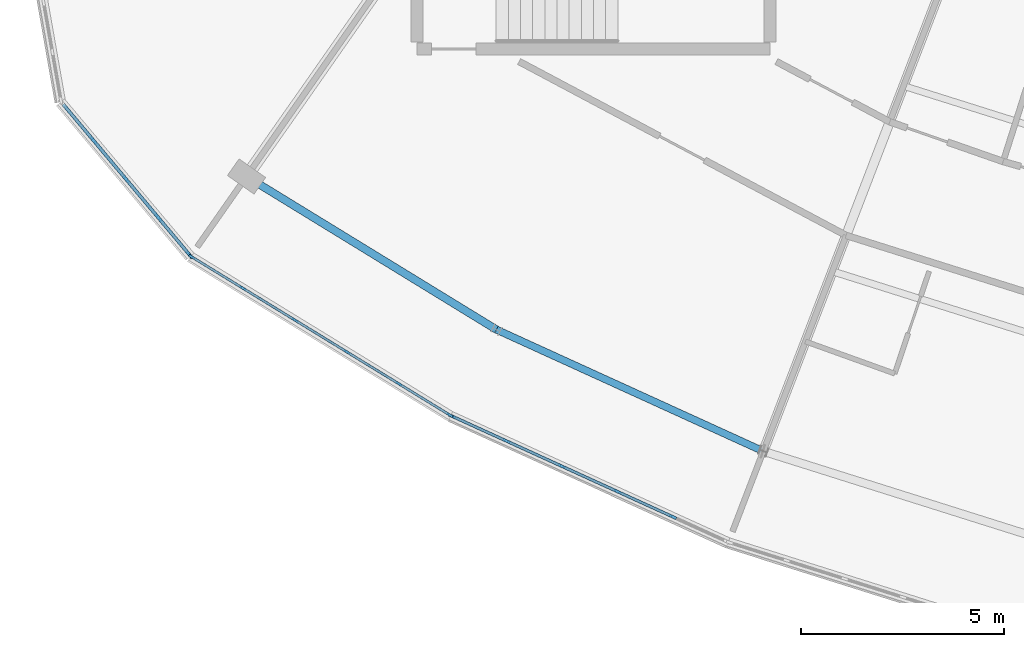
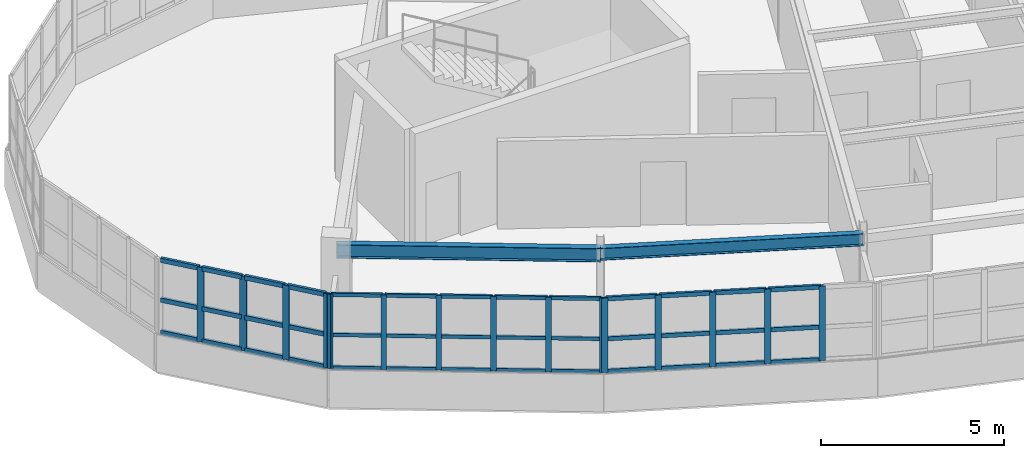
# One storey, part 18 of 79: 54 members, 2 beams, 3 elements without a shape of their own.
"""IFC4 building model written with IfcOpenShell, lengths in metres."""

from ifc_helpers import new_model, si_unit, direction, frame, origin, origin_2d, place, context, subcontext, project, spatial, rectangle, i_section, extrude, material, layer, layer_set, material_profile, profile_set, type_object, element, aggregate, save


model = new_model("IFC4")

# Units and contexts
model_context = context("Model", 3, precision=1e-05, world=origin(), true_north=direction((0.0, 1.0)))
body_context = subcontext(model_context, "Body", "Model", "MODEL_VIEW")
ifc_project = project(units=[si_unit("LENGTHUNIT", "METRE"), si_unit("AREAUNIT", "SQUARE_METRE"), si_unit("VOLUMEUNIT", "CUBIC_METRE"), si_unit("PLANEANGLEUNIT", "RADIAN"), si_unit("MASSUNIT", "GRAM", prefix="KILO")], contexts=[model_context])

# Site, building, storey
site_placement = place(None, origin())
site = spatial("IfcSite", under=ifc_project, at=site_placement, CompositionType="ELEMENT")
building_placement = place(site_placement, origin())
building = spatial("IfcBuilding", under=site, at=building_placement, Name="Tarnwether General Hospital", CompositionType="ELEMENT")
storey_placement = place(building_placement, frame((0.0, 0.0, 18.300048828125)))
storey = spatial("IfcBuildingStorey", under=building, at=storey_placement, Name="L04", CompositionType="ELEMENT", Elevation=18.300048828125)

# Beams
ifc_material_1 = material(Name="Steel Grade 350 (350 MPa)", Category="steel")
ifc_material_profile_1 = material_profile(ifc_material_1, i_section(OverallWidth=0.18994140625, OverallDepth=0.4541015625, WebThickness=0.008544921875, FlangeThickness=0.0126953125, at=origin_2d()), Name="460UB67.1")
ifc_profile_set_1 = profile_set([ifc_material_profile_1], Name="Steel Grade 350 (350 MPa)")
beam_type_1 = type_object("IfcBeamType", Name="BM-SP1", PredefinedType="SPANDREL", material=ifc_profile_set_1)
beam_1_placement = place(storey_placement, frame((58.0439453125, 14.506103515625, 3.3330078125), z_axis=(0.852678430503, -0.522436114902, 0.0), x_axis=(0.522436114902, 0.852678430503, 0.0)))
element("IfcBeam", 1, at=beam_1_placement, inside=storey, type_object=beam_type_1, Name="Curved Ward SE Outer Spandrel BMG-L04-5804_1451-6421_1073-2138", PredefinedType="SPANDREL", context=body_context, shape_type="SweptSolid", body=[
    extrude(i_section(OverallWidth=0.18994140625, OverallDepth=0.4541015625, WebThickness=0.008544921875, FlangeThickness=0.0126953125, at=origin_2d()), origin(), (0.0, 0.0, 1.0), 7.22802734375),
])
ifc_material_2 = material(Name="Steel Grade 350 (350 MPa)", Category="steel")
ifc_material_profile_2 = material_profile(ifc_material_2, i_section(OverallWidth=0.177978515625, OverallDepth=0.403076171875, WebThickness=0.007568359375, FlangeThickness=0.010986328125, at=origin_2d()), Name="410UB53.7")
ifc_profile_set_2 = profile_set([ifc_material_profile_2], Name="Steel Grade 350 (350 MPa)")
beam_type_2 = type_object("IfcBeamType", Name="BM-SP2", PredefinedType="SPANDREL", material=ifc_profile_set_2)
beam_2_placement = place(storey_placement, frame((64.20703125, 10.72998046875, 3.3583984375), z_axis=(0.909943842177, -0.414731484316, 0.0), x_axis=(0.414731484316, 0.909943842177, 0.0)))
element("IfcBeam", 2, at=beam_2_placement, inside=storey, type_object=beam_type_2, Name="Curved Ward SE Outer Spandrel BMG-L04-6421_1073-7078_773-2140", PredefinedType="SPANDREL", context=body_context, shape_type="SweptSolid", body=[
    extrude(i_section(OverallWidth=0.177978515625, OverallDepth=0.403076171875, WebThickness=0.007568359375, FlangeThickness=0.010986328125, at=origin_2d()), origin(), (0.0, 0.0, 1.0), 7.22900390625),
])

# Curtain wall, members
ifc_material_3 = material(Name="Anodised aluminium", Category="aluminium")
ifc_layer_1 = layer(ifc_material_3, 0.159912109375)
ifc_layer_set_1 = layer_set([ifc_layer_1], Name="Anodised aluminium")
curtain_wall_type_1 = type_object("IfcCurtainWallType", Name="CW-09", PredefinedType="NOTDEFINED", material=ifc_layer_set_1)
curtain_wall_1_placement = place(storey_placement, origin())
curtain_wall_1 = element("IfcCurtainWall", 3, at=curtain_wall_1_placement, inside=storey, type_object=curtain_wall_type_1, Name="Curtain Wall CWG-L04-631_86-0186", PredefinedType="NOTDEFINED")
ifc_material_4 = material(Name="Anodised aluminium", Category="aluminium")
ifc_material_profile_3 = material_profile(ifc_material_4, rectangle(XDim=0.06005859375, YDim=0.159912109375, at=origin_2d()), Name="ALU-MUL-60x160")
ifc_profile_set_3 = profile_set([ifc_material_profile_3], Name="Anodised aluminium")
member_type_1 = type_object("IfcMemberType", Name="CW-ML1", PredefinedType="MULLION", material=ifc_profile_set_3)
member_1_placement = place(storey_placement, frame((63.055419921875, 8.625732421875, 1.050048828125), z_axis=(0.0, 0.0, 1.0), x_axis=(-0.522509056361, -0.852633734977, 0.0)))
member_1 = element("IfcMember", 4, at=member_1_placement, type_object=member_type_1, Name="CW-09 mullion 1", PredefinedType="MULLION", context=body_context, shape_type="SweptSolid", body=[
    extrude(rectangle(XDim=0.06005859375, YDim=0.159912109375, at=origin_2d()), origin(), (0.0, 0.0, 1.0), 2.489990234375),
])
member_2_placement = place(storey_placement, frame((61.79833984375, 9.39599609375, 1.050048828125), z_axis=(0.0, 0.0, 1.0), x_axis=(-0.522509056361, -0.852633734977, 0.0)))
member_2 = element("IfcMember", 5, at=member_2_placement, type_object=member_type_1, Name="CW-09 mullion 2", PredefinedType="MULLION", context=body_context, shape_type="SweptSolid", body=[
    extrude(rectangle(XDim=0.06005859375, YDim=0.159912109375, at=origin_2d()), origin(), (0.0, 0.0, 1.0), 2.489990234375),
])
member_3_placement = place(storey_placement, frame((60.515869140625, 10.181884765625, 1.050048828125), z_axis=(0.0, 0.0, 1.0), x_axis=(-0.522509056361, -0.852633734977, 0.0)))
member_3 = element("IfcMember", 6, at=member_3_placement, type_object=member_type_1, Name="CW-09 mullion 3", PredefinedType="MULLION", context=body_context, shape_type="SweptSolid", body=[
    extrude(rectangle(XDim=0.06005859375, YDim=0.159912109375, at=origin_2d()), origin(), (0.0, 0.0, 1.0), 2.489990234375),
])
member_4_placement = place(storey_placement, frame((59.233154296875, 10.968017578125, 1.050048828125), z_axis=(0.0, 0.0, 1.0), x_axis=(-0.522509056361, -0.852633734977, 0.0)))
member_4 = element("IfcMember", 7, at=member_4_placement, type_object=member_type_1, Name="CW-09 mullion 4", PredefinedType="MULLION", context=body_context, shape_type="SweptSolid", body=[
    extrude(rectangle(XDim=0.06005859375, YDim=0.159912109375, at=origin_2d()), origin(), (0.0, 0.0, 1.0), 2.489990234375),
])
member_5_placement = place(storey_placement, frame((57.95068359375, 11.75390625, 1.050048828125), z_axis=(0.0, 0.0, 1.0), x_axis=(-0.522509056361, -0.852633734977, 0.0)))
member_5 = element("IfcMember", 8, at=member_5_placement, type_object=member_type_1, Name="CW-09 mullion 5", PredefinedType="MULLION", context=body_context, shape_type="SweptSolid", body=[
    extrude(rectangle(XDim=0.06005859375, YDim=0.159912109375, at=origin_2d()), origin(), (0.0, 0.0, 1.0), 2.489990234375),
])
member_6_placement = place(storey_placement, frame((56.693603515625, 12.5244140625, 1.050048828125), z_axis=(0.0, 0.0, 1.0), x_axis=(-0.522509056361, -0.852633734977, 0.0)))
member_6 = element("IfcMember", 9, at=member_6_placement, type_object=member_type_1, Name="CW-09 mullion 6", PredefinedType="MULLION", context=body_context, shape_type="SweptSolid", body=[
    extrude(rectangle(XDim=0.06005859375, YDim=0.159912109375, at=origin_2d()), origin(), (0.0, 0.0, 1.0), 2.489990234375),
])

curtain_wall_2_placement = place(storey_placement, origin())
curtain_wall_2 = element("IfcCurtainWall", 10, at=curtain_wall_2_placement, inside=storey, type_object=curtain_wall_type_1, Name="Curtain Wall CWG-L04-699_55-0187", PredefinedType="NOTDEFINED")
ifc_material_5 = material(Name="Anodised aluminium", Category="aluminium")
ifc_material_profile_4 = material_profile(ifc_material_5, rectangle(XDim=0.070068359375, YDim=0.179931640625, at=origin_2d()), Name="ALU-MUL-70x180")
ifc_profile_set_4 = profile_set([ifc_material_profile_4], Name="Anodised aluminium")
member_type_2 = type_object("IfcMemberType", Name="CW-ML2", PredefinedType="MULLION", material=ifc_profile_set_4)
member_7_placement = place(storey_placement, frame((68.55615234375, 6.11474609375, 1.050048828125), z_axis=(0.0, 0.0, 1.0), x_axis=(-0.414694289316, -0.909960793886, 0.0)))
member_7 = element("IfcMember", 11, at=member_7_placement, type_object=member_type_2, Name="CW-09 mullion 2", PredefinedType="MULLION", context=body_context, shape_type="SweptSolid", body=[
    extrude(rectangle(XDim=0.070068359375, YDim=0.179931640625, at=origin_2d()), origin(), (0.0, 0.0, 1.0), 2.489990234375),
])
member_8_placement = place(storey_placement, frame((67.1875, 6.738525390625, 1.050048828125), z_axis=(0.0, 0.0, 1.0), x_axis=(-0.414694289316, -0.909960793886, 0.0)))
member_8 = element("IfcMember", 12, at=member_8_placement, type_object=member_type_2, Name="CW-09 mullion 3", PredefinedType="MULLION", context=body_context, shape_type="SweptSolid", body=[
    extrude(rectangle(XDim=0.070068359375, YDim=0.179931640625, at=origin_2d()), origin(), (0.0, 0.0, 1.0), 2.489990234375),
])
member_9_placement = place(storey_placement, frame((65.818603515625, 7.3623046875, 1.050048828125), z_axis=(0.0, 0.0, 1.0), x_axis=(-0.414694289316, -0.909960793886, 0.0)))
member_9 = element("IfcMember", 13, at=member_9_placement, type_object=member_type_2, Name="CW-09 mullion 4", PredefinedType="MULLION", context=body_context, shape_type="SweptSolid", body=[
    extrude(rectangle(XDim=0.070068359375, YDim=0.179931640625, at=origin_2d()), origin(), (0.0, 0.0, 1.0), 2.489990234375),
])
member_10_placement = place(storey_placement, frame((64.44970703125, 7.986083984375, 1.050048828125), z_axis=(0.0, 0.0, 1.0), x_axis=(-0.414694289316, -0.909960793886, 0.0)))
member_10 = element("IfcMember", 14, at=member_10_placement, type_object=member_type_2, Name="CW-09 mullion 5", PredefinedType="MULLION", context=body_context, shape_type="SweptSolid", body=[
    extrude(rectangle(XDim=0.070068359375, YDim=0.179931640625, at=origin_2d()), origin(), (0.0, 0.0, 1.0), 2.489990234375),
])
member_11_placement = place(storey_placement, frame((63.11279296875, 8.595458984375, 1.050048828125), z_axis=(0.0, 0.0, 1.0), x_axis=(-0.414694289316, -0.909960793886, 0.0)))
member_11 = element("IfcMember", 15, at=member_11_placement, type_object=member_type_2, Name="CW-09 mullion 6", PredefinedType="MULLION", context=body_context, shape_type="SweptSolid", body=[
    extrude(rectangle(XDim=0.070068359375, YDim=0.179931640625, at=origin_2d()), origin(), (0.0, 0.0, 1.0), 2.489990234375),
])

ifc_material_6 = material(Name="Anodised aluminium", Category="aluminium")
ifc_layer_2 = layer(ifc_material_6, 0.159912109375)
ifc_layer_set_2 = layer_set([ifc_layer_2], Name="Anodised aluminium")
curtain_wall_type_2 = type_object("IfcCurtainWallType", Name="CW-03", PredefinedType="NOTDEFINED", material=ifc_layer_set_2)
curtain_wall_3_placement = place(storey_placement, origin())
curtain_wall_3 = element("IfcCurtainWall", 16, at=curtain_wall_3_placement, inside=storey, type_object=curtain_wall_type_2, Name="Curtain Wall CWG-L04-567_125-0217", PredefinedType="NOTDEFINED")
ifc_material_7 = material(Name="Anodised aluminium", Category="aluminium")
ifc_material_profile_5 = material_profile(ifc_material_7, rectangle(XDim=0.080078125, YDim=0.199951171875, at=origin_2d()), Name="ALU-MUL-80x200")
ifc_profile_set_5 = profile_set([ifc_material_profile_5], Name="Anodised aluminium")
member_type_3 = type_object("IfcMemberType", Name="CW-ML4", PredefinedType="MULLION", material=ifc_profile_set_5)
member_12_placement = place(storey_placement, frame((56.642333984375, 12.570556640625, 1.050048828125), z_axis=(0.0, 0.0, 1.0), x_axis=(-0.765990176896, -0.64285227611, 0.0)))
member_12 = element("IfcMember", 17, at=member_12_placement, type_object=member_type_3, Name="CW-03 mullion 1", PredefinedType="MULLION", context=body_context, shape_type="SweptSolid", body=[
    extrude(rectangle(XDim=0.080078125, YDim=0.199951171875, at=origin_2d()), origin(), (0.0, 0.0, 1.0), 2.489990234375),
])
member_13_placement = place(storey_placement, frame((55.869140625, 13.49169921875, 1.050048828125), z_axis=(0.0, 0.0, 1.0), x_axis=(-0.765990176896, -0.64285227611, 0.0)))
member_13 = element("IfcMember", 18, at=member_13_placement, type_object=member_type_3, Name="CW-03 mullion 2", PredefinedType="MULLION", context=body_context, shape_type="SweptSolid", body=[
    extrude(rectangle(XDim=0.080078125, YDim=0.199951171875, at=origin_2d()), origin(), (0.0, 0.0, 1.0), 2.489990234375),
])
member_14_placement = place(storey_placement, frame((55.070556640625, 14.443603515625, 1.050048828125), z_axis=(0.0, 0.0, 1.0), x_axis=(-0.765990176896, -0.64285227611, 0.0)))
member_14 = element("IfcMember", 19, at=member_14_placement, type_object=member_type_3, Name="CW-03 mullion 3", PredefinedType="MULLION", context=body_context, shape_type="SweptSolid", body=[
    extrude(rectangle(XDim=0.080078125, YDim=0.199951171875, at=origin_2d()), origin(), (0.0, 0.0, 1.0), 2.489990234375),
])
member_15_placement = place(storey_placement, frame((54.271728515625, 15.395263671875, 1.050048828125), z_axis=(0.0, 0.0, 1.0), x_axis=(-0.765990176896, -0.64285227611, 0.0)))
member_15 = element("IfcMember", 20, at=member_15_placement, type_object=member_type_3, Name="CW-03 mullion 4", PredefinedType="MULLION", context=body_context, shape_type="SweptSolid", body=[
    extrude(rectangle(XDim=0.080078125, YDim=0.199951171875, at=origin_2d()), origin(), (0.0, 0.0, 1.0), 2.489990234375),
])

# Member
ifc_material_8 = material(Name="Anodised aluminium", Category="aluminium")
ifc_material_profile_6 = material_profile(ifc_material_8, rectangle(XDim=0.06005859375, YDim=0.1201171875, at=origin_2d()), Name="ALU-TRN-60x120")
ifc_profile_set_6 = profile_set([ifc_material_profile_6], Name="Anodised aluminium")
member_type_4 = type_object("IfcMemberType", Name="CW-TR1", PredefinedType="USERDEFINED", material=ifc_profile_set_6)
member_16_placement = place(storey_placement, frame((63.02978515625, 8.641357421875, 1.079833984375), z_axis=(-0.852611176426, 0.522545865771, 0.0), x_axis=(-0.522545865771, -0.852611176426, 0.0)))
member_16 = element("IfcMember", 21, at=member_16_placement, type_object=member_type_4, Name="CW-09 transom 1.1", ObjectType="TRANSOM", PredefinedType="USERDEFINED", context=body_context, shape_type="SweptSolid", body=[
    extrude(rectangle(XDim=0.06005859375, YDim=0.1201171875, at=origin_2d()), origin(), (0.0, 0.0, 1.0), 1.414306640625),
])

member_17_placement = place(storey_placement, frame((63.02978515625, 8.641357421875, 2.17041015625), z_axis=(-0.852611176426, 0.522545865771, 0.0), x_axis=(-0.522545865771, -0.852611176426, 0.0)))
member_17 = element("IfcMember", 22, at=member_17_placement, type_object=member_type_4, Name="CW-09 transom 1.2", ObjectType="TRANSOM", PredefinedType="USERDEFINED", context=body_context, shape_type="SweptSolid", body=[
    extrude(rectangle(XDim=0.06005859375, YDim=0.1201171875, at=origin_2d()), origin(), (0.0, 0.0, 1.0), 1.414306640625),
])

member_18_placement = place(storey_placement, frame((63.02978515625, 8.641357421875, 3.510009765625), z_axis=(-0.852611176426, 0.522545865771, 0.0), x_axis=(-0.522545865771, -0.852611176426, 0.0)))
member_18 = element("IfcMember", 23, at=member_18_placement, type_object=member_type_4, Name="CW-09 transom 1.3", ObjectType="TRANSOM", PredefinedType="USERDEFINED", context=body_context, shape_type="SweptSolid", body=[
    extrude(rectangle(XDim=0.06005859375, YDim=0.1201171875, at=origin_2d()), origin(), (0.0, 0.0, 1.0), 1.414306640625),
])

member_19_placement = place(storey_placement, frame((61.772705078125, 9.41162109375, 1.079833984375), z_axis=(-0.852637692392, 0.52250259857, 0.0), x_axis=(-0.52250259857, -0.852637692392, 0.0)))
member_19 = element("IfcMember", 24, at=member_19_placement, type_object=member_type_4, Name="CW-09 transom 2.1", ObjectType="TRANSOM", PredefinedType="USERDEFINED", context=body_context, shape_type="SweptSolid", body=[
    extrude(rectangle(XDim=0.06005859375, YDim=0.1201171875, at=origin_2d()), origin(), (0.0, 0.0, 1.0), 1.4443359375),
])

member_20_placement = place(storey_placement, frame((61.772705078125, 9.41162109375, 2.17041015625), z_axis=(-0.852637692392, 0.52250259857, 0.0), x_axis=(-0.52250259857, -0.852637692392, 0.0)))
member_20 = element("IfcMember", 25, at=member_20_placement, type_object=member_type_4, Name="CW-09 transom 2.2", ObjectType="TRANSOM", PredefinedType="USERDEFINED", context=body_context, shape_type="SweptSolid", body=[
    extrude(rectangle(XDim=0.06005859375, YDim=0.1201171875, at=origin_2d()), origin(), (0.0, 0.0, 1.0), 1.4443359375),
])

member_21_placement = place(storey_placement, frame((61.772705078125, 9.41162109375, 3.510009765625), z_axis=(-0.852637692392, 0.52250259857, 0.0), x_axis=(-0.52250259857, -0.852637692392, 0.0)))
member_21 = element("IfcMember", 26, at=member_21_placement, type_object=member_type_4, Name="CW-09 transom 2.3", ObjectType="TRANSOM", PredefinedType="USERDEFINED", context=body_context, shape_type="SweptSolid", body=[
    extrude(rectangle(XDim=0.06005859375, YDim=0.1201171875, at=origin_2d()), origin(), (0.0, 0.0, 1.0), 1.4443359375),
])

member_22_placement = place(storey_placement, frame((60.490234375, 10.19775390625, 1.079833984375), z_axis=(-0.852637692392, 0.52250259857, 0.0), x_axis=(-0.52250259857, -0.852637692392, 0.0)))
member_22 = element("IfcMember", 27, at=member_22_placement, type_object=member_type_4, Name="CW-09 transom 3.1", ObjectType="TRANSOM", PredefinedType="USERDEFINED", context=body_context, shape_type="SweptSolid", body=[
    extrude(rectangle(XDim=0.06005859375, YDim=0.1201171875, at=origin_2d()), origin(), (0.0, 0.0, 1.0), 1.4443359375),
])

member_23_placement = place(storey_placement, frame((60.490234375, 10.19775390625, 2.17041015625), z_axis=(-0.852637692392, 0.52250259857, 0.0), x_axis=(-0.52250259857, -0.852637692392, 0.0)))
member_23 = element("IfcMember", 28, at=member_23_placement, type_object=member_type_4, Name="CW-09 transom 3.2", ObjectType="TRANSOM", PredefinedType="USERDEFINED", context=body_context, shape_type="SweptSolid", body=[
    extrude(rectangle(XDim=0.06005859375, YDim=0.1201171875, at=origin_2d()), origin(), (0.0, 0.0, 1.0), 1.4443359375),
])

member_24_placement = place(storey_placement, frame((60.490234375, 10.19775390625, 3.510009765625), z_axis=(-0.852637692392, 0.52250259857, 0.0), x_axis=(-0.52250259857, -0.852637692392, 0.0)))
member_24 = element("IfcMember", 29, at=member_24_placement, type_object=member_type_4, Name="CW-09 transom 3.3", ObjectType="TRANSOM", PredefinedType="USERDEFINED", context=body_context, shape_type="SweptSolid", body=[
    extrude(rectangle(XDim=0.06005859375, YDim=0.1201171875, at=origin_2d()), origin(), (0.0, 0.0, 1.0), 1.4443359375),
])

member_25_placement = place(storey_placement, frame((59.20751953125, 10.983642578125, 1.079833984375), z_axis=(-0.852637692392, 0.52250259857, 0.0), x_axis=(-0.52250259857, -0.852637692392, 0.0)))
member_25 = element("IfcMember", 30, at=member_25_placement, type_object=member_type_4, Name="CW-09 transom 4.1", ObjectType="TRANSOM", PredefinedType="USERDEFINED", context=body_context, shape_type="SweptSolid", body=[
    extrude(rectangle(XDim=0.06005859375, YDim=0.1201171875, at=origin_2d()), origin(), (0.0, 0.0, 1.0), 1.4443359375),
])

member_26_placement = place(storey_placement, frame((59.20751953125, 10.983642578125, 2.17041015625), z_axis=(-0.852637692392, 0.52250259857, 0.0), x_axis=(-0.52250259857, -0.852637692392, 0.0)))
member_26 = element("IfcMember", 31, at=member_26_placement, type_object=member_type_4, Name="CW-09 transom 4.2", ObjectType="TRANSOM", PredefinedType="USERDEFINED", context=body_context, shape_type="SweptSolid", body=[
    extrude(rectangle(XDim=0.06005859375, YDim=0.1201171875, at=origin_2d()), origin(), (0.0, 0.0, 1.0), 1.4443359375),
])

member_27_placement = place(storey_placement, frame((59.20751953125, 10.983642578125, 3.510009765625), z_axis=(-0.852637692392, 0.52250259857, 0.0), x_axis=(-0.52250259857, -0.852637692392, 0.0)))
member_27 = element("IfcMember", 32, at=member_27_placement, type_object=member_type_4, Name="CW-09 transom 4.3", ObjectType="TRANSOM", PredefinedType="USERDEFINED", context=body_context, shape_type="SweptSolid", body=[
    extrude(rectangle(XDim=0.06005859375, YDim=0.1201171875, at=origin_2d()), origin(), (0.0, 0.0, 1.0), 1.4443359375),
])

member_28_placement = place(storey_placement, frame((57.925048828125, 11.769775390625, 1.079833984375), z_axis=(-0.852688084945, 0.522420357369, 0.0), x_axis=(-0.522420357369, -0.852688084945, 0.0)))
member_28 = element("IfcMember", 33, at=member_28_placement, type_object=member_type_4, Name="CW-09 transom 5.1", ObjectType="TRANSOM", PredefinedType="USERDEFINED", context=body_context, shape_type="SweptSolid", body=[
    extrude(rectangle(XDim=0.06005859375, YDim=0.1201171875, at=origin_2d()), origin(), (0.0, 0.0, 1.0), 1.4140625),
])

member_29_placement = place(storey_placement, frame((57.925048828125, 11.769775390625, 2.17041015625), z_axis=(-0.852688084945, 0.522420357369, 0.0), x_axis=(-0.522420357369, -0.852688084945, 0.0)))
member_29 = element("IfcMember", 34, at=member_29_placement, type_object=member_type_4, Name="CW-09 transom 5.2", ObjectType="TRANSOM", PredefinedType="USERDEFINED", context=body_context, shape_type="SweptSolid", body=[
    extrude(rectangle(XDim=0.06005859375, YDim=0.1201171875, at=origin_2d()), origin(), (0.0, 0.0, 1.0), 1.4140625),
])

member_30_placement = place(storey_placement, frame((57.925048828125, 11.769775390625, 3.510009765625), z_axis=(-0.852688084945, 0.522420357369, 0.0), x_axis=(-0.522420357369, -0.852688084945, 0.0)))
member_30 = element("IfcMember", 35, at=member_30_placement, type_object=member_type_4, Name="CW-09 transom 5.3", ObjectType="TRANSOM", PredefinedType="USERDEFINED", context=body_context, shape_type="SweptSolid", body=[
    extrude(rectangle(XDim=0.06005859375, YDim=0.1201171875, at=origin_2d()), origin(), (0.0, 0.0, 1.0), 1.4140625),
])

aggregate(curtain_wall_1, [member_1, member_2, member_3, member_4, member_5, member_6, member_16, member_17, member_18, member_19, member_20, member_21, member_22, member_23, member_24, member_25, member_26, member_27, member_28, member_29, member_30])

ifc_material_9 = material(Name="Anodised aluminium", Category="aluminium")
ifc_material_profile_7 = material_profile(ifc_material_9, rectangle(XDim=0.070068359375, YDim=0.139892578125, at=origin_2d()), Name="ALU-TRN-70x140")
ifc_profile_set_7 = profile_set([ifc_material_profile_7], Name="Anodised aluminium")
member_type_5 = type_object("IfcMemberType", Name="CW-TR2", PredefinedType="USERDEFINED", material=ifc_profile_set_7)
member_31_placement = place(storey_placement, frame((68.5244140625, 6.12939453125, 1.0849609375), z_axis=(-0.909981346388, 0.414649188141, 0.0), x_axis=(-0.414649188141, -0.909981346388, 0.0)))
member_31 = element("IfcMember", 36, at=member_31_placement, type_object=member_type_5, Name="CW-09 transom 2.1", ObjectType="TRANSOM", PredefinedType="USERDEFINED", context=body_context, shape_type="SweptSolid", body=[
    extrude(rectangle(XDim=0.070068359375, YDim=0.139892578125, at=origin_2d()), origin(), (0.0, 0.0, 1.0), 1.434326171875),
])

member_32_placement = place(storey_placement, frame((68.5244140625, 6.12939453125, 2.17041015625), z_axis=(-0.909981346388, 0.414649188141, 0.0), x_axis=(-0.414649188141, -0.909981346388, 0.0)))
member_32 = element("IfcMember", 37, at=member_32_placement, type_object=member_type_5, Name="CW-09 transom 2.2", ObjectType="TRANSOM", PredefinedType="USERDEFINED", context=body_context, shape_type="SweptSolid", body=[
    extrude(rectangle(XDim=0.070068359375, YDim=0.139892578125, at=origin_2d()), origin(), (0.0, 0.0, 1.0), 1.434326171875),
])

member_33_placement = place(storey_placement, frame((68.5244140625, 6.12939453125, 3.5048828125), z_axis=(-0.909981346388, 0.414649188141, 0.0), x_axis=(-0.414649188141, -0.909981346388, 0.0)))
member_33 = element("IfcMember", 38, at=member_33_placement, type_object=member_type_5, Name="CW-09 transom 2.3", ObjectType="TRANSOM", PredefinedType="USERDEFINED", context=body_context, shape_type="SweptSolid", body=[
    extrude(rectangle(XDim=0.070068359375, YDim=0.139892578125, at=origin_2d()), origin(), (0.0, 0.0, 1.0), 1.434326171875),
])

member_34_placement = place(storey_placement, frame((67.155517578125, 6.753173828125, 1.0849609375), z_axis=(-0.909981346388, 0.414649188141, 0.0), x_axis=(-0.414649188141, -0.909981346388, 0.0)))
member_34 = element("IfcMember", 39, at=member_34_placement, type_object=member_type_5, Name="CW-09 transom 3.1", ObjectType="TRANSOM", PredefinedType="USERDEFINED", context=body_context, shape_type="SweptSolid", body=[
    extrude(rectangle(XDim=0.070068359375, YDim=0.139892578125, at=origin_2d()), origin(), (0.0, 0.0, 1.0), 1.434326171875),
])

member_35_placement = place(storey_placement, frame((67.155517578125, 6.753173828125, 2.17041015625), z_axis=(-0.909981346388, 0.414649188141, 0.0), x_axis=(-0.414649188141, -0.909981346388, 0.0)))
member_35 = element("IfcMember", 40, at=member_35_placement, type_object=member_type_5, Name="CW-09 transom 3.2", ObjectType="TRANSOM", PredefinedType="USERDEFINED", context=body_context, shape_type="SweptSolid", body=[
    extrude(rectangle(XDim=0.070068359375, YDim=0.139892578125, at=origin_2d()), origin(), (0.0, 0.0, 1.0), 1.434326171875),
])

member_36_placement = place(storey_placement, frame((67.155517578125, 6.753173828125, 3.5048828125), z_axis=(-0.909981346388, 0.414649188141, 0.0), x_axis=(-0.414649188141, -0.909981346388, 0.0)))
member_36 = element("IfcMember", 41, at=member_36_placement, type_object=member_type_5, Name="CW-09 transom 3.3", ObjectType="TRANSOM", PredefinedType="USERDEFINED", context=body_context, shape_type="SweptSolid", body=[
    extrude(rectangle(XDim=0.070068359375, YDim=0.139892578125, at=origin_2d()), origin(), (0.0, 0.0, 1.0), 1.434326171875),
])

member_37_placement = place(storey_placement, frame((65.786865234375, 7.376953125, 1.0849609375), z_axis=(-0.909981346388, 0.414649188141, 0.0), x_axis=(-0.414649188141, -0.909981346388, 0.0)))
member_37 = element("IfcMember", 42, at=member_37_placement, type_object=member_type_5, Name="CW-09 transom 4.1", ObjectType="TRANSOM", PredefinedType="USERDEFINED", context=body_context, shape_type="SweptSolid", body=[
    extrude(rectangle(XDim=0.070068359375, YDim=0.139892578125, at=origin_2d()), origin(), (0.0, 0.0, 1.0), 1.434326171875),
])

member_38_placement = place(storey_placement, frame((65.786865234375, 7.376953125, 2.17041015625), z_axis=(-0.909981346388, 0.414649188141, 0.0), x_axis=(-0.414649188141, -0.909981346388, 0.0)))
member_38 = element("IfcMember", 43, at=member_38_placement, type_object=member_type_5, Name="CW-09 transom 4.2", ObjectType="TRANSOM", PredefinedType="USERDEFINED", context=body_context, shape_type="SweptSolid", body=[
    extrude(rectangle(XDim=0.070068359375, YDim=0.139892578125, at=origin_2d()), origin(), (0.0, 0.0, 1.0), 1.434326171875),
])

member_39_placement = place(storey_placement, frame((65.786865234375, 7.376953125, 3.5048828125), z_axis=(-0.909981346388, 0.414649188141, 0.0), x_axis=(-0.414649188141, -0.909981346388, 0.0)))
member_39 = element("IfcMember", 44, at=member_39_placement, type_object=member_type_5, Name="CW-09 transom 4.3", ObjectType="TRANSOM", PredefinedType="USERDEFINED", context=body_context, shape_type="SweptSolid", body=[
    extrude(rectangle(XDim=0.070068359375, YDim=0.139892578125, at=origin_2d()), origin(), (0.0, 0.0, 1.0), 1.434326171875),
])

member_40_placement = place(storey_placement, frame((64.41796875, 8.000732421875, 1.0849609375), z_axis=(-0.909935750091, 0.414749238344, 0.0), x_axis=(-0.414749238344, -0.909935750091, 0.0)))
member_40 = element("IfcMember", 45, at=member_40_placement, type_object=member_type_5, Name="CW-09 transom 5.1", ObjectType="TRANSOM", PredefinedType="USERDEFINED", context=body_context, shape_type="SweptSolid", body=[
    extrude(rectangle(XDim=0.070068359375, YDim=0.139892578125, at=origin_2d()), origin(), (0.0, 0.0, 1.0), 1.399169921875),
])

member_41_placement = place(storey_placement, frame((64.41796875, 8.000732421875, 2.17041015625), z_axis=(-0.909935750091, 0.414749238344, 0.0), x_axis=(-0.414749238344, -0.909935750091, 0.0)))
member_41 = element("IfcMember", 46, at=member_41_placement, type_object=member_type_5, Name="CW-09 transom 5.2", ObjectType="TRANSOM", PredefinedType="USERDEFINED", context=body_context, shape_type="SweptSolid", body=[
    extrude(rectangle(XDim=0.070068359375, YDim=0.139892578125, at=origin_2d()), origin(), (0.0, 0.0, 1.0), 1.399169921875),
])

member_42_placement = place(storey_placement, frame((64.41796875, 8.000732421875, 3.5048828125), z_axis=(-0.909935750091, 0.414749238344, 0.0), x_axis=(-0.414749238344, -0.909935750091, 0.0)))
member_42 = element("IfcMember", 47, at=member_42_placement, type_object=member_type_5, Name="CW-09 transom 5.3", ObjectType="TRANSOM", PredefinedType="USERDEFINED", context=body_context, shape_type="SweptSolid", body=[
    extrude(rectangle(XDim=0.070068359375, YDim=0.139892578125, at=origin_2d()), origin(), (0.0, 0.0, 1.0), 1.399169921875),
])

aggregate(curtain_wall_2, [member_7, member_8, member_9, member_10, member_11, member_31, member_32, member_33, member_34, member_35, member_36, member_37, member_38, member_39, member_40, member_41, member_42])

ifc_material_10 = material(Name="Anodised aluminium", Category="aluminium")
ifc_material_profile_8 = material_profile(ifc_material_10, rectangle(XDim=0.080078125, YDim=0.14990234375, at=origin_2d()), Name="ALU-TRN-80x150")
ifc_profile_set_8 = profile_set([ifc_material_profile_8], Name="Anodised aluminium")
member_type_6 = type_object("IfcMemberType", Name="CW-TR4", PredefinedType="USERDEFINED", material=ifc_profile_set_8)
member_43_placement = place(storey_placement, frame((56.616455078125, 12.601318359375, 1.08984375), z_axis=(-0.642748180301, 0.766077526572, 0.0), x_axis=(-0.766077526572, -0.642748180301, 0.0)))
member_43 = element("IfcMember", 48, at=member_43_placement, type_object=member_type_6, Name="CW-03 transom 1.1", ObjectType="TRANSOM", PredefinedType="USERDEFINED", context=body_context, shape_type="SweptSolid", body=[
    extrude(rectangle(XDim=0.080078125, YDim=0.14990234375, at=origin_2d()), origin(), (0.0, 0.0, 1.0), 1.122314453125),
])

member_44_placement = place(storey_placement, frame((56.616455078125, 12.601318359375, 2.17041015625), z_axis=(-0.642748180301, 0.766077526572, 0.0), x_axis=(-0.766077526572, -0.642748180301, 0.0)))
member_44 = element("IfcMember", 49, at=member_44_placement, type_object=member_type_6, Name="CW-03 transom 1.2", ObjectType="TRANSOM", PredefinedType="USERDEFINED", context=body_context, shape_type="SweptSolid", body=[
    extrude(rectangle(XDim=0.080078125, YDim=0.14990234375, at=origin_2d()), origin(), (0.0, 0.0, 1.0), 1.122314453125),
])

member_45_placement = place(storey_placement, frame((56.616455078125, 12.601318359375, 3.5), z_axis=(-0.642748180301, 0.766077526572, 0.0), x_axis=(-0.766077526572, -0.642748180301, 0.0)))
member_45 = element("IfcMember", 50, at=member_45_placement, type_object=member_type_6, Name="CW-03 transom 1.3", ObjectType="TRANSOM", PredefinedType="USERDEFINED", context=body_context, shape_type="SweptSolid", body=[
    extrude(rectangle(XDim=0.080078125, YDim=0.14990234375, at=origin_2d()), origin(), (0.0, 0.0, 1.0), 1.122314453125),
])

member_46_placement = place(storey_placement, frame((55.843505859375, 13.5224609375, 1.08984375), z_axis=(-0.642886651766, 0.765961326035, 0.0), x_axis=(-0.765961326035, -0.642886651766, 0.0)))
member_46 = element("IfcMember", 51, at=member_46_placement, type_object=member_type_6, Name="CW-03 transom 2.1", ObjectType="TRANSOM", PredefinedType="USERDEFINED", context=body_context, shape_type="SweptSolid", body=[
    extrude(rectangle(XDim=0.080078125, YDim=0.14990234375, at=origin_2d()), origin(), (0.0, 0.0, 1.0), 1.162353515625),
])

member_47_placement = place(storey_placement, frame((55.843505859375, 13.5224609375, 2.17041015625), z_axis=(-0.642886651766, 0.765961326035, 0.0), x_axis=(-0.765961326035, -0.642886651766, 0.0)))
member_47 = element("IfcMember", 52, at=member_47_placement, type_object=member_type_6, Name="CW-03 transom 2.2", ObjectType="TRANSOM", PredefinedType="USERDEFINED", context=body_context, shape_type="SweptSolid", body=[
    extrude(rectangle(XDim=0.080078125, YDim=0.14990234375, at=origin_2d()), origin(), (0.0, 0.0, 1.0), 1.162353515625),
])

member_48_placement = place(storey_placement, frame((55.843505859375, 13.5224609375, 3.5), z_axis=(-0.642886651766, 0.765961326035, 0.0), x_axis=(-0.765961326035, -0.642886651766, 0.0)))
member_48 = element("IfcMember", 53, at=member_48_placement, type_object=member_type_6, Name="CW-03 transom 2.3", ObjectType="TRANSOM", PredefinedType="USERDEFINED", context=body_context, shape_type="SweptSolid", body=[
    extrude(rectangle(XDim=0.080078125, YDim=0.14990234375, at=origin_2d()), origin(), (0.0, 0.0, 1.0), 1.162353515625),
])

member_49_placement = place(storey_placement, frame((55.044677734375, 14.47412109375, 1.08984375), z_axis=(-0.642886651766, 0.765961326035, 0.0), x_axis=(-0.765961326035, -0.642886651766, 0.0)))
member_49 = element("IfcMember", 54, at=member_49_placement, type_object=member_type_6, Name="CW-03 transom 3.1", ObjectType="TRANSOM", PredefinedType="USERDEFINED", context=body_context, shape_type="SweptSolid", body=[
    extrude(rectangle(XDim=0.080078125, YDim=0.14990234375, at=origin_2d()), origin(), (0.0, 0.0, 1.0), 1.162353515625),
])

member_50_placement = place(storey_placement, frame((55.044677734375, 14.47412109375, 2.17041015625), z_axis=(-0.642886651766, 0.765961326035, 0.0), x_axis=(-0.765961326035, -0.642886651766, 0.0)))
member_50 = element("IfcMember", 55, at=member_50_placement, type_object=member_type_6, Name="CW-03 transom 3.2", ObjectType="TRANSOM", PredefinedType="USERDEFINED", context=body_context, shape_type="SweptSolid", body=[
    extrude(rectangle(XDim=0.080078125, YDim=0.14990234375, at=origin_2d()), origin(), (0.0, 0.0, 1.0), 1.162353515625),
])

member_51_placement = place(storey_placement, frame((55.044677734375, 14.47412109375, 3.5), z_axis=(-0.642886651766, 0.765961326035, 0.0), x_axis=(-0.765961326035, -0.642886651766, 0.0)))
member_51 = element("IfcMember", 56, at=member_51_placement, type_object=member_type_6, Name="CW-03 transom 3.3", ObjectType="TRANSOM", PredefinedType="USERDEFINED", context=body_context, shape_type="SweptSolid", body=[
    extrude(rectangle(XDim=0.080078125, YDim=0.14990234375, at=origin_2d()), origin(), (0.0, 0.0, 1.0), 1.162353515625),
])

member_52_placement = place(storey_placement, frame((54.24609375, 15.42578125, 1.08984375), z_axis=(-0.642875805885, 0.765970429069, 0.0), x_axis=(-0.765970429069, -0.642875805885, 0.0)))
member_52 = element("IfcMember", 57, at=member_52_placement, type_object=member_type_6, Name="CW-03 transom 4.1", ObjectType="TRANSOM", PredefinedType="USERDEFINED", context=body_context, shape_type="SweptSolid", body=[
    extrude(rectangle(XDim=0.080078125, YDim=0.14990234375, at=origin_2d()), origin(), (0.0, 0.0, 1.0), 1.12255859375),
])

member_53_placement = place(storey_placement, frame((54.24609375, 15.42578125, 2.17041015625), z_axis=(-0.642875805885, 0.765970429069, 0.0), x_axis=(-0.765970429069, -0.642875805885, 0.0)))
member_53 = element("IfcMember", 58, at=member_53_placement, type_object=member_type_6, Name="CW-03 transom 4.2", ObjectType="TRANSOM", PredefinedType="USERDEFINED", context=body_context, shape_type="SweptSolid", body=[
    extrude(rectangle(XDim=0.080078125, YDim=0.14990234375, at=origin_2d()), origin(), (0.0, 0.0, 1.0), 1.12255859375),
])

member_54_placement = place(storey_placement, frame((54.24609375, 15.42578125, 3.5), z_axis=(-0.642875805885, 0.765970429069, 0.0), x_axis=(-0.765970429069, -0.642875805885, 0.0)))
member_54 = element("IfcMember", 59, at=member_54_placement, type_object=member_type_6, Name="CW-03 transom 4.3", ObjectType="TRANSOM", PredefinedType="USERDEFINED", context=body_context, shape_type="SweptSolid", body=[
    extrude(rectangle(XDim=0.080078125, YDim=0.14990234375, at=origin_2d()), origin(), (0.0, 0.0, 1.0), 1.12255859375),
])

aggregate(curtain_wall_3, [member_12, member_13, member_14, member_15, member_43, member_44, member_45, member_46, member_47, member_48, member_49, member_50, member_51, member_52, member_53, member_54])

save(model, "model.ifc")
